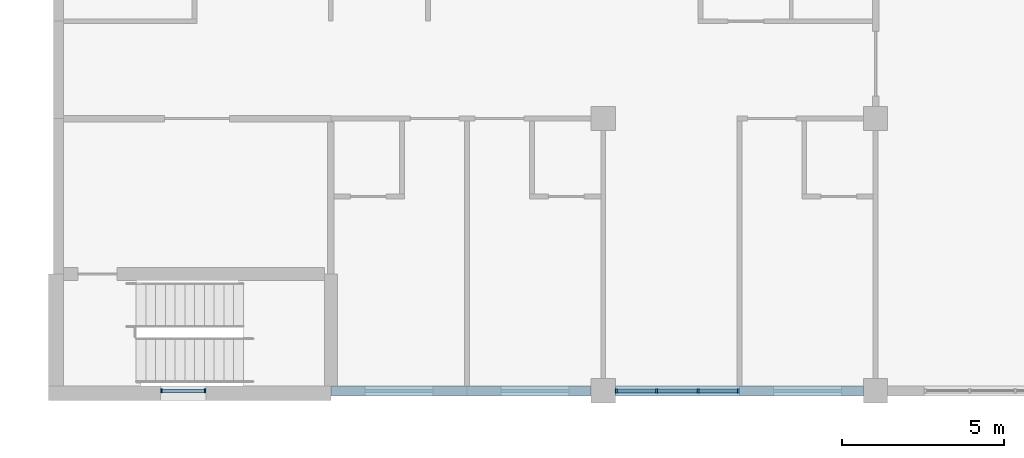
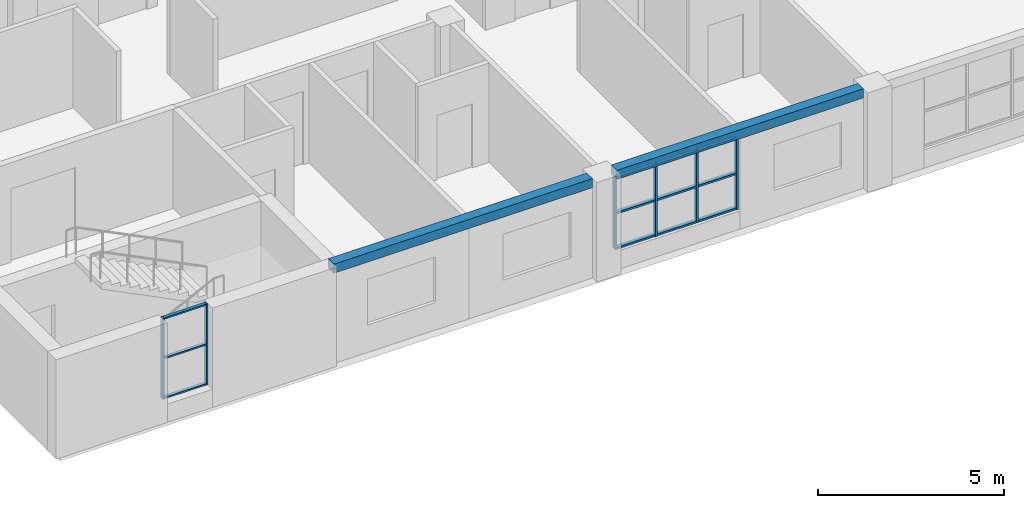
# One storey, part 9 of 46: 18 members, 2 beams, 2 elements without a shape of their own.
"""IFC4 building model written with IfcOpenShell, lengths in metres."""

import ifcopenshell
import ifcopenshell.guid

model = None  # the IFC model being written
_history = None  # IfcOwnerHistory: only IFC2X3 demands one
_inside = {}  # id of a spatial element -> (the spatial element, [elements in it])
_under = {}  # id of a project, library or spatial element -> (it, [spatial elements below it])
_declared = {}  # id of a project -> (the project, [libraries it declares])
_typed = {}  # id of a type object -> (the type object, [elements of that type])
_made_of = {}  # id of a material, layer set ... -> (it, [elements and type objects made of it])


def new_model(schema):
    """Start an empty IFC model of exactly this schema.

    Asked for "IFC4X3", IfcOpenShell would pick the latest addendum, in which some entities
    have other attributes; the version numbers below select the first issue.
    IFC2X3 requires an IfcOwnerHistory on every rooted entity: one is made here for all.
    """
    global model, _history
    if schema == "IFC4X3":
        model = ifcopenshell.file(schema_version=(4, 3, 0, 0))
    else:
        model = ifcopenshell.file(schema=schema)
    _inside.clear()
    _under.clear()
    _declared.clear()
    _typed.clear()
    _made_of.clear()
    _history = None
    if model.schema == "IFC2X3":
        org = make("IfcOrganization", Name="unknown")
        user = make(
            "IfcPersonAndOrganization",
            ThePerson=make("IfcPerson", FamilyName="unknown"),
            TheOrganization=org,
        )
        app = make(
            "IfcApplication",
            ApplicationDeveloper=org,
            Version="unknown",
            ApplicationFullName="unknown",
            ApplicationIdentifier="unknown",
        )
        _history = make(
            "IfcOwnerHistory",
            OwningUser=user,
            OwningApplication=app,
            ChangeAction="ADDED",
            CreationDate=0,
        )
    return model


def make(cls, **values):
    """One entity of the class cls with the attributes given. An attribute that is None is left unset."""
    return model.create_entity(
        cls, **{name: value for name, value in values.items() if value is not None}
    )


def rooted(cls, **values):
    """An entity with a GlobalId (a new one), such as an element, a storey or a relation."""
    return make(cls, GlobalId=ifcopenshell.guid.new(), OwnerHistory=_history, **values)


def si_unit(unit_type, name, prefix=None):
    """IfcSIUnit, for example si_unit("LENGTHUNIT", "METRE", prefix="MILLI")."""
    return make("IfcSIUnit", UnitType=unit_type, Prefix=prefix, Name=name)


def assignment(units):
    """IfcUnitAssignment: the units of a project."""
    return None if units is None else make("IfcUnitAssignment", Units=units)


def point(xyz):
    """IfcCartesianPoint."""
    return None if xyz is None else make("IfcCartesianPoint", Coordinates=xyz)


def direction(xyz):
    """IfcDirection."""
    return None if xyz is None else make("IfcDirection", DirectionRatios=xyz)


def frame(location, z_axis=None, x_axis=None):
    """IfcAxis2Placement3D, a coordinate frame: its origin and axes. An axis left out is left unset."""
    return make(
        "IfcAxis2Placement3D",
        Location=point(location),
        Axis=direction(z_axis),
        RefDirection=direction(x_axis),
    )


def frame_2d(location, x_axis=None):
    """IfcAxis2Placement2D, a coordinate frame in the plane: its origin and x axis."""
    return make(
        "IfcAxis2Placement2D", Location=point(location), RefDirection=direction(x_axis)
    )


def origin():
    """The frame at (0, 0, 0) with its axes left unset."""
    return frame((0.0, 0.0, 0.0))


def origin_2d():
    """The frame at (0, 0) in the plane with its x axis left unset."""
    return frame_2d((0.0, 0.0))


def place(relative_to, where):
    """IfcLocalPlacement: puts the frame where relative to a parent placement (None: the world)."""
    return make(
        "IfcLocalPlacement", PlacementRelTo=relative_to, RelativePlacement=where
    )


def context(
    kind, dimensions, precision=None, world=None, true_north=None, identifier=None
):
    """IfcGeometricRepresentationContext, for example the 3D "Model" context."""
    return make(
        "IfcGeometricRepresentationContext",
        ContextIdentifier=identifier,
        ContextType=kind,
        CoordinateSpaceDimension=dimensions,
        Precision=precision,
        WorldCoordinateSystem=world,
        TrueNorth=true_north,
    )


def subcontext(parent, identifier, kind, view, scale=None):
    """IfcGeometricRepresentationSubContext, for example "Body" below "Model"."""
    return make(
        "IfcGeometricRepresentationSubContext",
        ContextIdentifier=identifier,
        ContextType=kind,
        ParentContext=parent,
        TargetScale=scale,
        TargetView=view,
    )


def project(units=None, contexts=None):
    """IfcProject with its units and contexts."""
    return rooted(
        "IfcProject",
        Name="project",
        RepresentationContexts=contexts,
        UnitsInContext=assignment(units),
    )


def spatial(cls, under=None, at=None, **own):
    """A site, building, storey or space (cls), placed at a placement, below another one or the project."""
    s = rooted(cls, ObjectPlacement=at, **own)
    if under is not None:
        _under.setdefault(under.id(), (under, []))[1].append(s)
    return s


def profile(cls, at=None, kind="AREA", **sizes):
    """A parametric profile (cls). Its sizes go by their IFC names, for example OverallWidth=200.0."""
    return make(cls, ProfileType=kind, Position=at, **sizes)


def rectangle(**sizes):
    """IfcRectangleProfileDef."""
    return profile("IfcRectangleProfileDef", **sizes)


def extrude(swept, where, along, depth):
    """IfcExtrudedAreaSolid: the profile swept, set in the frame where, extruded along a direction by depth."""
    return make(
        "IfcExtrudedAreaSolid",
        SweptArea=swept,
        Position=where,
        ExtrudedDirection=direction(along),
        Depth=depth,
    )


def shape(context_of_items, identifier, shape_type, items):
    """IfcShapeRepresentation: the items that make up one representation, for example the "Body"."""
    return make(
        "IfcShapeRepresentation",
        ContextOfItems=context_of_items,
        RepresentationIdentifier=identifier,
        RepresentationType=shape_type,
        Items=items,
    )


def material(Name=None, Category=None):
    """IfcMaterial."""
    return make("IfcMaterial", Name=Name, Category=Category)


def material_profile(
    of_material, cross_section, Name=None, Category=None, Priority=None
):
    """IfcMaterialProfile: a cross section and its material."""
    return make(
        "IfcMaterialProfile",
        Name=Name,
        Material=of_material,
        Profile=cross_section,
        Priority=Priority,
        Category=Category,
    )


def profile_set(profiles, Name=None, composite=None):
    """IfcMaterialProfileSet."""
    return make(
        "IfcMaterialProfileSet",
        Name=Name,
        MaterialProfiles=profiles,
        CompositeProfile=composite,
    )


def made_of(thing, what):
    """Note that an element or type object is made of a material, layer set ...; save() writes the relation."""
    if what is not None:
        _made_of.setdefault(what.id(), (what, []))[1].append(thing)
    return thing


def type_object(cls, material=None, **own):
    """A type object (cls), such as IfcWallType, which elements share."""
    return made_of(rooted(cls, **own), material)


def element(
    cls,
    number,
    at=None,
    inside=None,
    cuts=None,
    type_object=None,
    material=None,
    context=None,
    identifier="Body",
    shape_type=None,
    held_by="IfcProductDefinitionShape",
    body=None,
    shapes=None,
    **own,
):
    """One element of the class cls, such as IfcWall. Its Tag is "e" and its number.

    at: its placement. inside: the storey or other place that contains it. cuts: it is an
    opening in that element (IfcRelVoidsElement). A single representation is given by context,
    identifier, shape_type and body (its items); several are given by shapes. held_by: the class
    of the entity that holds the representations. save() writes the other relations.
    """
    e = rooted(cls, Tag="e%d" % number, ObjectPlacement=at, **own)
    if body is not None:
        shapes = [shape(context, identifier, shape_type, body)]
    if shapes is not None:
        e.Representation = make(held_by, Representations=shapes)
    if inside is not None:
        _inside.setdefault(inside.id(), (inside, []))[1].append(e)
    if cuts is not None:
        rooted(
            "IfcRelVoidsElement", RelatingBuildingElement=cuts, RelatedOpeningElement=e
        )
    if type_object is not None:
        _typed.setdefault(type_object.id(), (type_object, []))[1].append(e)
    return made_of(e, material)


def aggregate(whole, parts):
    """IfcRelAggregates: a whole, such as a stair, and the parts it consists of."""
    return rooted("IfcRelAggregates", RelatingObject=whole, RelatedObjects=parts)


def save(model, path):
    """Write the relations noted so far, then the file.

    IfcRelAggregates (storeys below a building ...), IfcRelContainedInSpatialStructure (elements
    in a storey), IfcRelDefinesByType, IfcRelAssociatesMaterial and IfcRelDeclares: one each for
    every whole, place, type object, material and project.
    """
    for whole, parts in _under.values():
        aggregate(whole, parts)
    for where, things in _inside.values():
        rooted(
            "IfcRelContainedInSpatialStructure",
            RelatedElements=things,
            RelatingStructure=where,
        )
    for kind, things in _typed.values():
        rooted("IfcRelDefinesByType", RelatedObjects=things, RelatingType=kind)
    for what, things in _made_of.values():
        rooted("IfcRelAssociatesMaterial", RelatedObjects=things, RelatingMaterial=what)
    for by, libraries in _declared.values():
        rooted("IfcRelDeclares", RelatingContext=by, RelatedDefinitions=libraries)
    model.write(path)


model = new_model("IFC4")

# Units and contexts
model_context = context("Model", 3, precision=1e-05, world=origin(), true_north=direction((0.0, 1.0)))
body_context = subcontext(model_context, "Body", "Model", "MODEL_VIEW")
ifc_project = project(units=[si_unit("LENGTHUNIT", "METRE"), si_unit("AREAUNIT", "SQUARE_METRE"), si_unit("VOLUMEUNIT", "CUBIC_METRE"), si_unit("PLANEANGLEUNIT", "RADIAN"), si_unit("MASSUNIT", "GRAM", prefix="KILO")], contexts=[model_context])

# Site, building, storey
site_placement = place(None, origin())
site = spatial("IfcSite", under=ifc_project, at=site_placement, CompositionType="ELEMENT")
building_placement = place(site_placement, origin())
building = spatial("IfcBuilding", under=site, at=building_placement, Name="Yavir Park General Hospital", CompositionType="ELEMENT")
storey_placement = place(building_placement, frame((0.0, 0.0, 18.89990234375)))
storey = spatial("IfcBuildingStorey", under=building, at=storey_placement, Name="L04", CompositionType="ELEMENT", Elevation=18.89990234375)

# Curtain wall, members
ifc_material_1 = material(Name="Aluminium curtain wall frame with insulated glazing", Category="aluminium")
curtain_wall_type_1 = type_object("IfcCurtainWallType", Name="Day room pocket glazing, ward floors, 2360 high, 1400 module", PredefinedType="NOTDEFINED", material=ifc_material_1)
curtain_wall_1_placement = place(storey_placement, origin())
curtain_wall_1 = element("IfcCurtainWall", 1, at=curtain_wall_1_placement, inside=storey, type_object=curtain_wall_type_1, Name="CW6 L04-005", PredefinedType="NOTDEFINED")
ifc_material_2 = material(Name="Aluminium", Category="aluminium")
ifc_material_profile_1 = material_profile(ifc_material_2, rectangle(XDim=0.139892578125, YDim=0.06005859375, at=origin_2d()), Name="AL 60x140")
ifc_profile_set_1 = profile_set([ifc_material_profile_1], Name="Aluminium")
member_type_1 = type_object("IfcMemberType", Name="Day room pocket glazing, ward floors, 2360 high mullion 60 x 140", PredefinedType="MULLION", material=ifc_profile_set_1)
member_1_placement = place(storey_placement, frame((118.0048828125, 0.0, 0.60009765625), z_axis=(0.0, 0.0, 1.0), x_axis=(0.0, 1.0, 0.0)))
member_1 = element("IfcMember", 2, at=member_1_placement, type_object=member_type_1, Name="CW6 mullion 1", PredefinedType="MULLION", context=body_context, shape_type="SweptSolid", body=[
    extrude(rectangle(XDim=0.139892578125, YDim=0.06005859375, at=origin_2d()), origin(), (0.0, 0.0, 1.0), 2.360107421875),
])
member_2_placement = place(storey_placement, frame((119.25, 0.0, 0.60009765625), z_axis=(0.0, 0.0, 1.0), x_axis=(0.0, 1.0, 0.0)))
member_2 = element("IfcMember", 3, at=member_2_placement, type_object=member_type_1, Name="CW6 mullion 2", PredefinedType="MULLION", context=body_context, shape_type="SweptSolid", body=[
    extrude(rectangle(XDim=0.139892578125, YDim=0.06005859375, at=origin_2d()), origin(), (0.0, 0.0, 1.0), 2.360107421875),
])
member_3_placement = place(storey_placement, frame((120.52490234375, 0.0, 0.60009765625), z_axis=(0.0, 0.0, 1.0), x_axis=(0.0, 1.0, 0.0)))
member_3 = element("IfcMember", 4, at=member_3_placement, type_object=member_type_1, Name="CW6 mullion 3", PredefinedType="MULLION", context=body_context, shape_type="SweptSolid", body=[
    extrude(rectangle(XDim=0.139892578125, YDim=0.06005859375, at=origin_2d()), origin(), (0.0, 0.0, 1.0), 2.360107421875),
])
member_4_placement = place(storey_placement, frame((121.77001953125, 0.0, 0.60009765625), z_axis=(0.0, 0.0, 1.0), x_axis=(0.0, 1.0, 0.0)))
member_4 = element("IfcMember", 5, at=member_4_placement, type_object=member_type_1, Name="CW6 mullion 4", PredefinedType="MULLION", context=body_context, shape_type="SweptSolid", body=[
    extrude(rectangle(XDim=0.139892578125, YDim=0.06005859375, at=origin_2d()), origin(), (0.0, 0.0, 1.0), 2.360107421875),
])
ifc_material_3 = material(Name="Aluminium", Category="aluminium")
ifc_material_profile_2 = material_profile(ifc_material_3, rectangle(XDim=0.1201171875, YDim=0.06005859375, at=origin_2d()), Name="AL 120x60")
ifc_profile_set_2 = profile_set([ifc_material_profile_2], Name="Aluminium")
member_type_2 = type_object("IfcMemberType", Name="Day room pocket glazing, ward floors, 2360 high transom 60 x 120", PredefinedType="MULLION", material=ifc_profile_set_2)
member_5_placement = place(storey_placement, frame((118.034912109375, 0.0, 0.630126953125), z_axis=(1.0, 0.0, 0.0), x_axis=(0.0, 1.0, 0.0)))
member_5 = element("IfcMember", 6, at=member_5_placement, type_object=member_type_2, Name="CW6 transom 1.1", PredefinedType="MULLION", context=body_context, shape_type="SweptSolid", body=[
    extrude(rectangle(XDim=0.1201171875, YDim=0.06005859375, at=origin_2d()), origin(), (0.0, 0.0, 1.0), 1.18505859375),
])
member_6_placement = place(storey_placement, frame((118.034912109375, 0.0, 1.780029296875), z_axis=(1.0, 0.0, 0.0), x_axis=(0.0, 1.0, 0.0)))
member_6 = element("IfcMember", 7, at=member_6_placement, type_object=member_type_2, Name="CW6 transom 1.2", PredefinedType="MULLION", context=body_context, shape_type="SweptSolid", body=[
    extrude(rectangle(XDim=0.1201171875, YDim=0.06005859375, at=origin_2d()), origin(), (0.0, 0.0, 1.0), 1.18505859375),
])
member_7_placement = place(storey_placement, frame((118.034912109375, 0.0, 2.93017578125), z_axis=(1.0, 0.0, 0.0), x_axis=(0.0, 1.0, 0.0)))
member_7 = element("IfcMember", 8, at=member_7_placement, type_object=member_type_2, Name="CW6 transom 1.3", PredefinedType="MULLION", context=body_context, shape_type="SweptSolid", body=[
    extrude(rectangle(XDim=0.1201171875, YDim=0.06005859375, at=origin_2d()), origin(), (0.0, 0.0, 1.0), 1.18505859375),
])
member_8_placement = place(storey_placement, frame((119.280029296875, 0.0, 0.630126953125), z_axis=(1.0, 0.0, 0.0), x_axis=(0.0, 1.0, 0.0)))
member_8 = element("IfcMember", 9, at=member_8_placement, type_object=member_type_2, Name="CW6 transom 2.1", PredefinedType="MULLION", context=body_context, shape_type="SweptSolid", body=[
    extrude(rectangle(XDim=0.1201171875, YDim=0.06005859375, at=origin_2d()), origin(), (0.0, 0.0, 1.0), 1.215087890625),
])
member_9_placement = place(storey_placement, frame((119.280029296875, 0.0, 1.780029296875), z_axis=(1.0, 0.0, 0.0), x_axis=(0.0, 1.0, 0.0)))
member_9 = element("IfcMember", 10, at=member_9_placement, type_object=member_type_2, Name="CW6 transom 2.2", PredefinedType="MULLION", context=body_context, shape_type="SweptSolid", body=[
    extrude(rectangle(XDim=0.1201171875, YDim=0.06005859375, at=origin_2d()), origin(), (0.0, 0.0, 1.0), 1.215087890625),
])
member_10_placement = place(storey_placement, frame((119.280029296875, 0.0, 2.93017578125), z_axis=(1.0, 0.0, 0.0), x_axis=(0.0, 1.0, 0.0)))
member_10 = element("IfcMember", 11, at=member_10_placement, type_object=member_type_2, Name="CW6 transom 2.3", PredefinedType="MULLION", context=body_context, shape_type="SweptSolid", body=[
    extrude(rectangle(XDim=0.1201171875, YDim=0.06005859375, at=origin_2d()), origin(), (0.0, 0.0, 1.0), 1.215087890625),
])
member_11_placement = place(storey_placement, frame((120.554931640625, 0.0, 0.630126953125), z_axis=(1.0, 0.0, 0.0), x_axis=(0.0, 1.0, 0.0)))
member_11 = element("IfcMember", 12, at=member_11_placement, type_object=member_type_2, Name="CW6 transom 3.1", PredefinedType="MULLION", context=body_context, shape_type="SweptSolid", body=[
    extrude(rectangle(XDim=0.1201171875, YDim=0.06005859375, at=origin_2d()), origin(), (0.0, 0.0, 1.0), 1.18505859375),
])
member_12_placement = place(storey_placement, frame((120.554931640625, 0.0, 1.780029296875), z_axis=(1.0, 0.0, 0.0), x_axis=(0.0, 1.0, 0.0)))
member_12 = element("IfcMember", 13, at=member_12_placement, type_object=member_type_2, Name="CW6 transom 3.2", PredefinedType="MULLION", context=body_context, shape_type="SweptSolid", body=[
    extrude(rectangle(XDim=0.1201171875, YDim=0.06005859375, at=origin_2d()), origin(), (0.0, 0.0, 1.0), 1.18505859375),
])
member_13_placement = place(storey_placement, frame((120.554931640625, 0.0, 2.93017578125), z_axis=(1.0, 0.0, 0.0), x_axis=(0.0, 1.0, 0.0)))
member_13 = element("IfcMember", 14, at=member_13_placement, type_object=member_type_2, Name="CW6 transom 3.3", PredefinedType="MULLION", context=body_context, shape_type="SweptSolid", body=[
    extrude(rectangle(XDim=0.1201171875, YDim=0.06005859375, at=origin_2d()), origin(), (0.0, 0.0, 1.0), 1.18505859375),
])
aggregate(curtain_wall_1, [member_1, member_2, member_3, member_4, member_5, member_6, member_7, member_8, member_9, member_10, member_11, member_12, member_13])

# Beams
ifc_material_4 = material(Name="Concrete C35/45", Category="concrete")
ifc_material_profile_3 = material_profile(ifc_material_4, rectangle(XDim=0.300048828125, YDim=0.300048828125, at=origin_2d()), Name="RC300x300")
ifc_profile_set_3 = profile_set([ifc_material_profile_3], Name="Concrete C35/45")
beam_type = type_object("IfcBeamType", Name="RC BEAM 300x300 edge beam", PredefinedType="BEAM", material=ifc_profile_set_3)
beam_1_placement = place(storey_placement, frame((109.199951171875, 0.0, 3.110107421875), z_axis=(1.0, 0.0, 0.0), x_axis=(0.0, 1.0, 0.0)))
element("IfcBeam", 15, at=beam_1_placement, inside=storey, type_object=beam_type, Name="B:EDGE:L04:005", PredefinedType="BEAM", context=body_context, shape_type="SweptSolid", body=[
    extrude(rectangle(XDim=0.300048828125, YDim=0.300048828125, at=origin_2d()), origin(), (0.0, 0.0, 1.0), 8.025146484375),
])
beam_2_placement = place(storey_placement, frame((117.97509765625, 0.0, 3.110107421875), z_axis=(1.0, 0.0, 0.0), x_axis=(0.0, 1.0, 0.0)))
element("IfcBeam", 16, at=beam_2_placement, inside=storey, type_object=beam_type, Name="B:EDGE:L04:006", PredefinedType="BEAM", context=body_context, shape_type="SweptSolid", body=[
    extrude(rectangle(XDim=0.300048828125, YDim=0.300048828125, at=origin_2d()), origin(), (0.0, 0.0, 1.0), 7.64990234375),
])

# Curtain wall, members
ifc_material_5 = material(Name="Aluminium curtain wall frame with insulated glazing", Category="aluminium")
curtain_wall_type_2 = type_object("IfcCurtainWallType", Name="Stair light slot, ward floors, 2660 high, 1400 module", PredefinedType="NOTDEFINED", material=ifc_material_5)
curtain_wall_2_placement = place(storey_placement, origin())
curtain_wall_2 = element("IfcCurtainWall", 17, at=curtain_wall_2_placement, inside=storey, type_object=curtain_wall_type_2, Name="CW10 L04-004", PredefinedType="NOTDEFINED")
ifc_material_6 = material(Name="Aluminium", Category="aluminium")
ifc_material_profile_4 = material_profile(ifc_material_6, rectangle(XDim=0.1201171875, YDim=0.050048828125, at=origin_2d()), Name="AL 50x120")
ifc_profile_set_4 = profile_set([ifc_material_profile_4], Name="Aluminium")
member_type_3 = type_object("IfcMemberType", Name="Stair light slot, ward floors, 2660 high mullion 50 x 120", PredefinedType="MULLION", material=ifc_profile_set_4)
member_14_placement = place(storey_placement, frame((103.97509765625, 0.0, 0.60009765625), z_axis=(0.0, 0.0, 1.0), x_axis=(0.0, 1.0, 0.0)))
member_14 = element("IfcMember", 18, at=member_14_placement, type_object=member_type_3, Name="CW10 mullion 1", PredefinedType="MULLION", context=body_context, shape_type="SweptSolid", body=[
    extrude(rectangle(XDim=0.1201171875, YDim=0.050048828125, at=origin_2d()), origin(), (0.0, 0.0, 1.0), 2.659912109375),
])
member_15_placement = place(storey_placement, frame((105.324951171875, 0.0, 0.60009765625), z_axis=(0.0, 0.0, 1.0), x_axis=(0.0, 1.0, 0.0)))
member_15 = element("IfcMember", 19, at=member_15_placement, type_object=member_type_3, Name="CW10 mullion 2", PredefinedType="MULLION", context=body_context, shape_type="SweptSolid", body=[
    extrude(rectangle(XDim=0.1201171875, YDim=0.050048828125, at=origin_2d()), origin(), (0.0, 0.0, 1.0), 2.659912109375),
])
ifc_material_7 = material(Name="Aluminium", Category="aluminium")
ifc_material_profile_5 = material_profile(ifc_material_7, rectangle(XDim=0.10009765625, YDim=0.050048828125, at=origin_2d()), Name="AL 100x50")
ifc_profile_set_5 = profile_set([ifc_material_profile_5], Name="Aluminium")
member_type_4 = type_object("IfcMemberType", Name="Stair light slot, ward floors, 2660 high transom 50 x 100", PredefinedType="MULLION", material=ifc_profile_set_5)
member_16_placement = place(storey_placement, frame((104.0, 0.0, 0.625), z_axis=(1.0, 0.0, 0.0), x_axis=(0.0, 1.0, 0.0)))
member_16 = element("IfcMember", 20, at=member_16_placement, type_object=member_type_4, Name="CW10 transom 1.1", PredefinedType="MULLION", context=body_context, shape_type="SweptSolid", body=[
    extrude(rectangle(XDim=0.10009765625, YDim=0.050048828125, at=origin_2d()), origin(), (0.0, 0.0, 1.0), 1.300048828125),
])
member_17_placement = place(storey_placement, frame((104.0, 0.0, 1.93017578125), z_axis=(1.0, 0.0, 0.0), x_axis=(0.0, 1.0, 0.0)))
member_17 = element("IfcMember", 21, at=member_17_placement, type_object=member_type_4, Name="CW10 transom 1.2", PredefinedType="MULLION", context=body_context, shape_type="SweptSolid", body=[
    extrude(rectangle(XDim=0.10009765625, YDim=0.050048828125, at=origin_2d()), origin(), (0.0, 0.0, 1.0), 1.300048828125),
])
member_18_placement = place(storey_placement, frame((104.0, 0.0, 3.235107421875), z_axis=(1.0, 0.0, 0.0), x_axis=(0.0, 1.0, 0.0)))
member_18 = element("IfcMember", 22, at=member_18_placement, type_object=member_type_4, Name="CW10 transom 1.3", PredefinedType="MULLION", context=body_context, shape_type="SweptSolid", body=[
    extrude(rectangle(XDim=0.10009765625, YDim=0.050048828125, at=origin_2d()), origin(), (0.0, 0.0, 1.0), 1.300048828125),
])
aggregate(curtain_wall_2, [member_14, member_15, member_16, member_17, member_18])

save(model, "model.ifc")
